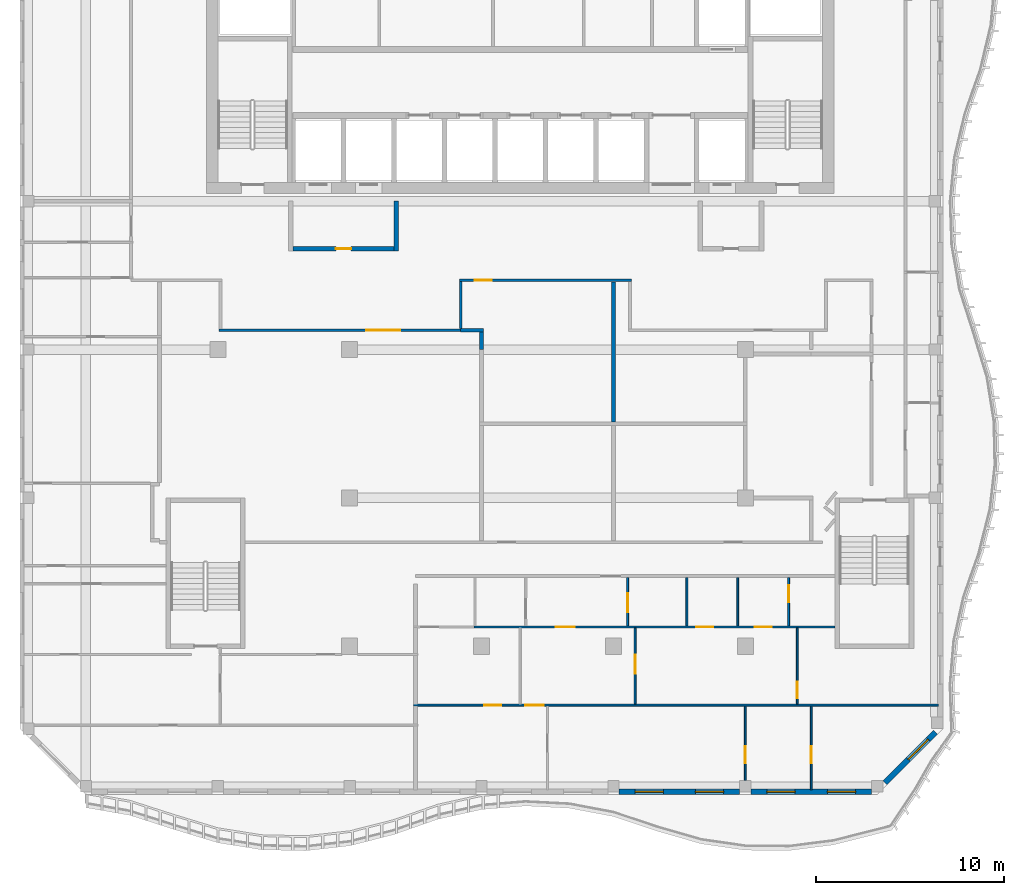
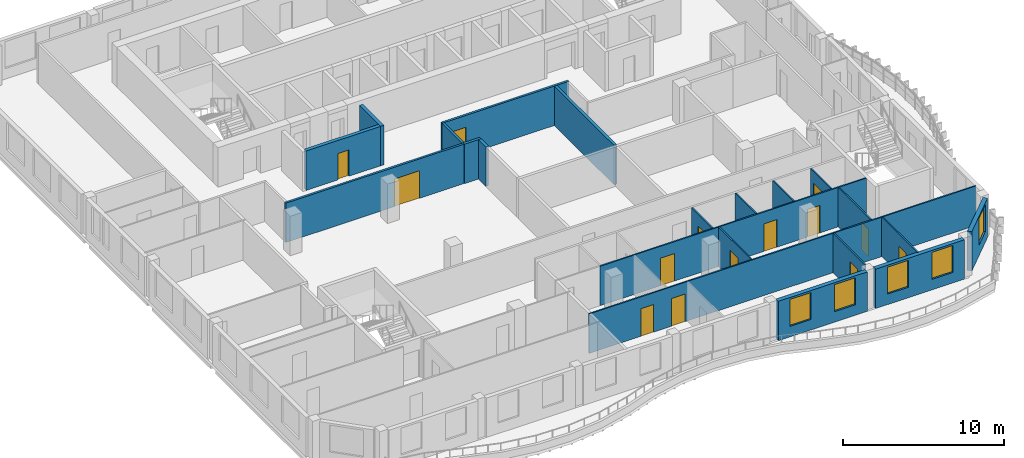
# One storey, part 4 of 14: 21 walls, 14 doors, 5 windows, 19 openings.
"""IFC4 building model written with IfcOpenShell, lengths in metres."""

from ifc_helpers import new_model, si_unit, direction, frame, frame_2d, origin, place, context, subcontext, project, spatial, rectangle, extrude, source, transform, mapped, material, layer, layer_set, type_object, element, fill, save


model = new_model("IFC4")

# Units and contexts
model_context = context("Model", 3, precision=1e-05, world=origin(), true_north=direction((0.0, 1.0)))
body_context = subcontext(model_context, "Body", "Model", "MODEL_VIEW")
ifc_project = project(units=[si_unit("LENGTHUNIT", "METRE"), si_unit("AREAUNIT", "SQUARE_METRE"), si_unit("VOLUMEUNIT", "CUBIC_METRE"), si_unit("PLANEANGLEUNIT", "RADIAN"), si_unit("MASSUNIT", "GRAM", prefix="KILO")], contexts=[model_context])

# Site, building, storey
site_placement = place(None, origin())
site = spatial("IfcSite", under=ifc_project, at=site_placement, CompositionType="ELEMENT")
building_placement = place(site_placement, origin())
building = spatial("IfcBuilding", under=site, at=building_placement, Name="Kilnfold Tower and Market Hall", CompositionType="ELEMENT")
storey_placement = place(building_placement, frame((0.0, 0.0, 315.39990234375)))
storey = spatial("IfcBuildingStorey", under=building, at=storey_placement, Name="L79", CompositionType="ELEMENT", Elevation=315.39990234375)

# Wall, opening, door
ifc_material_1 = material(Name="Gypsum board on steel studs", Category="steel")
ifc_layer_1 = layer(ifc_material_1, 0.14990234375)
ifc_layer_set_1 = layer_set([ifc_layer_1], Name="Gypsum board on steel studs")
wall_type_1 = type_object("IfcWallType", Name="WALL CORRIDOR 150", PredefinedType="PARTITIONING", material=ifc_layer_set_1)
wall_1_placement = place(storey_placement, frame((-14.93505859375, 1.14990234375, 0.0), z_axis=(0.0, 0.0, 1.0), x_axis=(1.0, 0.0, 0.0)))
wall_1 = element("IfcWall", 1, at=wall_1_placement, inside=storey, type_object=wall_type_1, Name="Partition LY47.12", PredefinedType="PARTITIONING", context=body_context, shape_type="SweptSolid", body=[
    extrude(rectangle(XDim=12.8349609375, YDim=0.14990234375, at=frame_2d((6.41748046875, 0.0))), origin(), (0.0, 0.0, 1.0), 3.0),
])
opening_1_placement = place(wall_1_placement, frame((7.824951171875, 0.0, 0.0)))
opening_1 = element("IfcOpeningElement", 2, at=opening_1_placement, cuts=wall_1, Name="Opening D5", PredefinedType="OPENING", context=body_context, shape_type="SweptSolid", body=[
    extrude(rectangle(XDim=1.800048828125, YDim=2.10009765625, at=frame_2d((0.89990234375, 1.050048828125))), frame((0.0, 0.0849609375, 0.0), z_axis=(0.0, -1.0, 0.0), x_axis=(1.0, 0.0, 0.0)), (0.0, 0.0, 1.0), 0.169921875),
])
ifc_material_2 = material(Name="Timber veneer door leaf in steel frame", Category="steel")
door_type_1 = type_object("IfcDoorType", Name="DOOR DOUBLE 1800 X2100", OperationType="NOTDEFINED", PredefinedType="DOOR", material=ifc_material_2)
door_1_placement = place(opening_1_placement, origin())
door_1 = element("IfcDoor", 3, at=door_1_placement, inside=storey, type_object=door_type_1, Name="Door D5", OperationType="DOUBLE_DOOR_SINGLE_SWING", OverallHeight=2.10009765625, OverallWidth=1.800048828125, PredefinedType="DOOR", context=body_context, shape_type="SweptSolid", body=[
    extrude(rectangle(XDim=1.800048828125, YDim=2.10009765625, at=frame_2d((0.89990234375, 1.050048828125))), frame((0.0, 0.02490234375, 0.0), z_axis=(0.0, -1.0, 0.0), x_axis=(1.0, 0.0, 0.0)), (0.0, 0.0, 1.0), 0.050048828125),
])
fill(opening_1, door_1)

wall_2_placement = place(storey_placement, frame((-2.175048828125, 3.800048828125, 0.0), z_axis=(0.0, 0.0, 1.0), x_axis=(1.0, 0.0, 0.0)))
wall_2 = element("IfcWall", 4, at=wall_2_placement, inside=storey, type_object=wall_type_1, Name="Partition LY47.15", PredefinedType="PARTITIONING", context=body_context, shape_type="SweptSolid", body=[
    extrude(rectangle(XDim=9.130126953125, YDim=0.14990234375, at=frame_2d((4.56494140625, 0.0))), origin(), (0.0, 0.0, 1.0), 3.0),
])
opening_2_placement = place(wall_2_placement, frame((0.806884765625, 0.0, 0.0)))
opening_2 = element("IfcOpeningElement", 5, at=opening_2_placement, cuts=wall_2, Name="Opening D2", PredefinedType="OPENING", context=body_context, shape_type="SweptSolid", body=[
    extrude(rectangle(XDim=0.89990234375, YDim=2.10009765625, at=frame_2d((0.449951171875, 1.050048828125))), frame((0.0, 0.0849609375, 0.0), z_axis=(0.0, -1.0, 0.0), x_axis=(1.0, 0.0, 0.0)), (0.0, 0.0, 1.0), 0.169921875),
])
ifc_material_3 = material(Name="Timber veneer door leaf in steel frame", Category="steel")
door_type_2 = type_object("IfcDoorType", Name="DOOR ROOM 900 X2100", OperationType="NOTDEFINED", PredefinedType="DOOR", material=ifc_material_3)
door_2_placement = place(opening_2_placement, origin())
door_2 = element("IfcDoor", 6, at=door_2_placement, inside=storey, type_object=door_type_2, Name="Door D2", OperationType="SINGLE_SWING_LEFT", OverallHeight=2.10009765625, OverallWidth=0.89990234375, PredefinedType="DOOR", context=body_context, shape_type="SweptSolid", body=[
    extrude(rectangle(XDim=0.89990234375, YDim=2.10009765625, at=frame_2d((0.449951171875, 1.050048828125))), frame((0.0, 0.02490234375, 0.0), z_axis=(0.0, -1.0, 0.0), x_axis=(1.0, 0.0, 0.0)), (0.0, 0.0, 1.0), 0.050048828125),
])
fill(opening_2, door_2)

# Wall
wall_3_placement = place(storey_placement, frame((-2.10009765625, 1.25, 0.0), z_axis=(0.0, 0.0, 1.0), x_axis=(0.0, 1.0, 0.0)))
element("IfcWall", 7, at=wall_3_placement, inside=storey, type_object=wall_type_1, Name="Partition LY47.16", PredefinedType="PARTITIONING", context=body_context, shape_type="SweptSolid", body=[
    extrude(rectangle(XDim=2.47509765625, YDim=0.14990234375, at=frame_2d((1.237548828125, 0.0))), origin(), (0.0, 0.0, 1.0), 3.0),
])

# Wall, openings, doors
ifc_material_4 = material(Name="Gypsum board on steel studs", Category="steel")
ifc_layer_2 = layer(ifc_material_4, 0.10009765625)
ifc_layer_set_2 = layer_set([ifc_layer_2], Name="Gypsum board on steel studs")
wall_type_2 = type_object("IfcWallType", Name="WALL PARTITION 100", PredefinedType="PARTITIONING", material=ifc_layer_set_2)
wall_4_placement = place(storey_placement, frame((-1.409912109375, -14.60205078125, 0.0), z_axis=(0.0, 0.0, 1.0), x_axis=(1.0, 0.0, 0.0)))
wall_4 = element("IfcWall", 8, at=wall_4_placement, inside=storey, type_object=wall_type_2, Name="Partition LY47.52", PredefinedType="PARTITIONING", context=body_context, shape_type="SweptSolid", body=[
    extrude(rectangle(XDim=19.159912109375, YDim=0.10009765625, at=frame_2d((9.580078125, 0.0))), origin(), (0.0, 0.0, 1.0), 3.0),
])
opening_3_placement = place(wall_4_placement, frame((4.35693359375, 0.0, 0.0)))
opening_3 = element("IfcOpeningElement", 9, at=opening_3_placement, cuts=wall_4, Name="Opening D1", PredefinedType="OPENING", context=body_context, shape_type="SweptSolid", body=[
    extrude(rectangle(XDim=1.0, YDim=2.10009765625, at=frame_2d((0.5, 1.050048828125))), frame((0.0, 0.06005859375, 0.0), z_axis=(0.0, -1.0, 0.0), x_axis=(1.0, 0.0, 0.0)), (0.0, 0.0, 1.0), 0.1201171875),
])
opening_4_placement = place(wall_4_placement, frame((11.803955078125, 0.0, 0.0)))
opening_4 = element("IfcOpeningElement", 10, at=opening_4_placement, cuts=wall_4, Name="Opening D2", PredefinedType="OPENING", context=body_context, shape_type="SweptSolid", body=[
    extrude(rectangle(XDim=0.89990234375, YDim=2.10009765625, at=frame_2d((0.449951171875, 1.050048828125))), frame((0.0, 0.06005859375, 0.0), z_axis=(0.0, -1.0, 0.0), x_axis=(1.0, 0.0, 0.0)), (0.0, 0.0, 1.0), 0.1201171875),
])
opening_5_placement = place(wall_4_placement, frame((14.909912109375, 0.0, 0.0)))
opening_5 = element("IfcOpeningElement", 11, at=opening_5_placement, cuts=wall_4, Name="Opening D2", PredefinedType="OPENING", context=body_context, shape_type="SweptSolid", body=[
    extrude(rectangle(XDim=0.89990234375, YDim=2.10009765625, at=frame_2d((0.449951171875, 1.050048828125))), frame((0.0, 0.06005859375, 0.0), z_axis=(0.0, -1.0, 0.0), x_axis=(1.0, 0.0, 0.0)), (0.0, 0.0, 1.0), 0.1201171875),
])
ifc_material_5 = material(Name="Timber veneer door leaf in steel frame", Category="steel")
door_type_3 = type_object("IfcDoorType", Name="DOOR ENTRY 1000 X2100", OperationType="NOTDEFINED", PredefinedType="DOOR", material=ifc_material_5)
door_3_placement = place(opening_3_placement, origin())
door_3 = element("IfcDoor", 12, at=door_3_placement, inside=storey, type_object=door_type_3, Name="Door D1", OperationType="SINGLE_SWING_RIGHT", OverallHeight=2.10009765625, OverallWidth=1.0, PredefinedType="DOOR", context=body_context, shape_type="SweptSolid", body=[
    extrude(rectangle(XDim=1.0, YDim=2.10009765625, at=frame_2d((0.5, 1.050048828125))), frame((0.0, 0.02490234375, 0.0), z_axis=(0.0, -1.0, 0.0), x_axis=(1.0, 0.0, 0.0)), (0.0, 0.0, 1.0), 0.050048828125),
])
fill(opening_3, door_3)
door_4_placement = place(opening_4_placement, origin())
door_4 = element("IfcDoor", 13, at=door_4_placement, inside=storey, type_object=door_type_2, Name="Door D2", OperationType="SINGLE_SWING_RIGHT", OverallHeight=2.10009765625, OverallWidth=0.89990234375, PredefinedType="DOOR", context=body_context, shape_type="SweptSolid", body=[
    extrude(rectangle(XDim=0.89990234375, YDim=2.10009765625, at=frame_2d((0.449951171875, 1.050048828125))), frame((0.0, 0.02490234375, 0.0), z_axis=(0.0, -1.0, 0.0), x_axis=(1.0, 0.0, 0.0)), (0.0, 0.0, 1.0), 0.050048828125),
])
fill(opening_4, door_4)
door_5_placement = place(opening_5_placement, origin())
door_5 = element("IfcDoor", 14, at=door_5_placement, inside=storey, type_object=door_type_2, Name="Door D2", OperationType="SINGLE_SWING_RIGHT", OverallHeight=2.10009765625, OverallWidth=0.89990234375, PredefinedType="DOOR", context=body_context, shape_type="SweptSolid", body=[
    extrude(rectangle(XDim=0.89990234375, YDim=2.10009765625, at=frame_2d((0.449951171875, 1.050048828125))), frame((0.0, 0.02490234375, 0.0), z_axis=(0.0, -1.0, 0.0), x_axis=(1.0, 0.0, 0.0)), (0.0, 0.0, 1.0), 0.050048828125),
])
fill(opening_5, door_5)

wall_5_placement = place(storey_placement, frame((-4.60009765625, -18.75, 0.0), z_axis=(0.0, 0.0, 1.0), x_axis=(1.0, 0.0, 0.0)))
wall_5 = element("IfcWall", 15, at=wall_5_placement, inside=storey, type_object=wall_type_2, Name="Partition LY47.53", PredefinedType="PARTITIONING", context=body_context, shape_type="SweptSolid", body=[
    extrude(rectangle(XDim=27.85009765625, YDim=0.10009765625, at=frame_2d((13.925048828125, 0.0))), origin(), (0.0, 0.0, 1.0), 3.0),
])
opening_6_placement = place(wall_5_placement, frame((3.740966796875, 0.0, 0.0)))
opening_6 = element("IfcOpeningElement", 16, at=opening_6_placement, cuts=wall_5, Name="Opening D2", PredefinedType="OPENING", context=body_context, shape_type="SweptSolid", body=[
    extrude(rectangle(XDim=0.89990234375, YDim=2.10009765625, at=frame_2d((0.449951171875, 1.050048828125))), frame((0.0, 0.06005859375, 0.0), z_axis=(0.0, -1.0, 0.0), x_axis=(1.0, 0.0, 0.0)), (0.0, 0.0, 1.0), 0.1201171875),
])
opening_7_placement = place(wall_5_placement, frame((5.909912109375, 0.0, 0.0)))
opening_7 = element("IfcOpeningElement", 17, at=opening_7_placement, cuts=wall_5, Name="Opening D1", PredefinedType="OPENING", context=body_context, shape_type="SweptSolid", body=[
    extrude(rectangle(XDim=1.0, YDim=2.10009765625, at=frame_2d((0.5, 1.050048828125))), frame((0.0, 0.06005859375, 0.0), z_axis=(0.0, -1.0, 0.0), x_axis=(1.0, 0.0, 0.0)), (0.0, 0.0, 1.0), 0.1201171875),
])
door_6_placement = place(opening_7_placement, origin())
door_6 = element("IfcDoor", 18, at=door_6_placement, inside=storey, type_object=door_type_3, Name="Door D1", OperationType="SINGLE_SWING_RIGHT", OverallHeight=2.10009765625, OverallWidth=1.0, PredefinedType="DOOR", context=body_context, shape_type="SweptSolid", body=[
    extrude(rectangle(XDim=1.0, YDim=2.10009765625, at=frame_2d((0.5, 1.050048828125))), frame((0.0, 0.02490234375, 0.0), z_axis=(0.0, -1.0, 0.0), x_axis=(1.0, 0.0, 0.0)), (0.0, 0.0, 1.0), 0.050048828125),
])
fill(opening_7, door_6)
door_7_placement = place(opening_6_placement, origin())
door_7 = element("IfcDoor", 19, at=door_7_placement, inside=storey, type_object=door_type_2, Name="Door D2", OperationType="SINGLE_SWING_LEFT", OverallHeight=2.10009765625, OverallWidth=0.89990234375, PredefinedType="DOOR", context=body_context, shape_type="SweptSolid", body=[
    extrude(rectangle(XDim=0.89990234375, YDim=2.10009765625, at=frame_2d((0.449951171875, 1.050048828125))), frame((0.0, 0.02490234375, 0.0), z_axis=(0.0, -1.0, 0.0), x_axis=(1.0, 0.0, 0.0)), (0.0, 0.0, 1.0), 0.050048828125),
])
fill(opening_6, door_7)

# Wall, opening, door
wall_6_placement = place(storey_placement, frame((7.155029296875, -18.699951171875, 0.0), z_axis=(0.0, 0.0, 1.0), x_axis=(0.0, 1.0, 0.0)))
wall_6 = element("IfcWall", 20, at=wall_6_placement, inside=storey, type_object=wall_type_2, Name="Partition LY47.54", PredefinedType="PARTITIONING", context=body_context, shape_type="SweptSolid", body=[
    extrude(rectangle(XDim=4.0478515625, YDim=0.10009765625, at=frame_2d((2.02392578125, 0.0))), origin(), (0.0, 0.0, 1.0), 3.0),
])
opening_8_placement = place(wall_6_placement, frame((1.6259765625, 0.0, 0.0)))
opening_8 = element("IfcOpeningElement", 21, at=opening_8_placement, cuts=wall_6, Name="Opening D1", PredefinedType="OPENING", context=body_context, shape_type="SweptSolid", body=[
    extrude(rectangle(XDim=1.0, YDim=2.10009765625, at=frame_2d((0.5, 1.050048828125))), frame((0.0, 0.06005859375, 0.0), z_axis=(0.0, -1.0, 0.0), x_axis=(1.0, 0.0, 0.0)), (0.0, 0.0, 1.0), 0.1201171875),
])
door_8_placement = place(opening_8_placement, origin())
door_8 = element("IfcDoor", 22, at=door_8_placement, inside=storey, type_object=door_type_3, Name="Door D1", OperationType="SINGLE_SWING_LEFT", OverallHeight=2.10009765625, OverallWidth=1.0, PredefinedType="DOOR", context=body_context, shape_type="SweptSolid", body=[
    extrude(rectangle(XDim=1.0, YDim=2.10009765625, at=frame_2d((0.5, 1.050048828125))), frame((0.0, 0.02490234375, 0.0), z_axis=(0.0, -1.0, 0.0), x_axis=(1.0, 0.0, 0.0)), (0.0, 0.0, 1.0), 0.050048828125),
])
fill(opening_8, door_8)

wall_7_placement = place(storey_placement, frame((15.758056640625, -18.699951171875, 0.0), z_axis=(0.0, 0.0, 1.0), x_axis=(0.0, 1.0, 0.0)))
wall_7 = element("IfcWall", 23, at=wall_7_placement, inside=storey, type_object=wall_type_2, Name="Partition LY47.55", PredefinedType="PARTITIONING", context=body_context, shape_type="SweptSolid", body=[
    extrude(rectangle(XDim=4.0478515625, YDim=0.10009765625, at=frame_2d((2.02392578125, 0.0))), origin(), (0.0, 0.0, 1.0), 3.0),
])
opening_9_placement = place(wall_7_placement, frame((0.302001953125, 0.0, 0.0)))
opening_9 = element("IfcOpeningElement", 24, at=opening_9_placement, cuts=wall_7, Name="Opening D2", PredefinedType="OPENING", context=body_context, shape_type="SweptSolid", body=[
    extrude(rectangle(XDim=0.89990234375, YDim=2.10009765625, at=frame_2d((0.449951171875, 1.050048828125))), frame((0.0, 0.06005859375, 0.0), z_axis=(0.0, -1.0, 0.0), x_axis=(1.0, 0.0, 0.0)), (0.0, 0.0, 1.0), 0.1201171875),
])
door_9_placement = place(opening_9_placement, origin())
door_9 = element("IfcDoor", 25, at=door_9_placement, inside=storey, type_object=door_type_2, Name="Door D2", OperationType="SINGLE_SWING_RIGHT", OverallHeight=2.10009765625, OverallWidth=0.89990234375, PredefinedType="DOOR", context=body_context, shape_type="SweptSolid", body=[
    extrude(rectangle(XDim=0.89990234375, YDim=2.10009765625, at=frame_2d((0.449951171875, 1.050048828125))), frame((0.0, 0.02490234375, 0.0), z_axis=(0.0, -1.0, 0.0), x_axis=(1.0, 0.0, 0.0)), (0.0, 0.0, 1.0), 0.050048828125),
])
fill(opening_9, door_9)

wall_8_placement = place(storey_placement, frame((6.75, -14.550048828125, 0.0), z_axis=(0.0, 0.0, 1.0), x_axis=(0.0, 1.0, 0.0)))
wall_8 = element("IfcWall", 26, at=wall_8_placement, inside=storey, type_object=wall_type_2, Name="Partition LY47.59", PredefinedType="PARTITIONING", context=body_context, shape_type="SweptSolid", body=[
    extrude(rectangle(XDim=2.572998046875, YDim=0.10009765625, at=frame_2d((1.28662109375, 0.0))), origin(), (0.0, 0.0, 1.0), 3.0),
])
opening_10_placement = place(wall_8_placement, frame((0.73291015625, 0.0, 0.0)))
opening_10 = element("IfcOpeningElement", 27, at=opening_10_placement, cuts=wall_8, Name="Opening D1", PredefinedType="OPENING", context=body_context, shape_type="SweptSolid", body=[
    extrude(rectangle(XDim=1.0, YDim=2.10009765625, at=frame_2d((0.5, 1.050048828125))), frame((0.0, 0.06005859375, 0.0), z_axis=(0.0, -1.0, 0.0), x_axis=(1.0, 0.0, 0.0)), (0.0, 0.0, 1.0), 0.1201171875),
])
door_10_placement = place(opening_10_placement, origin())
door_10 = element("IfcDoor", 28, at=door_10_placement, inside=storey, type_object=door_type_3, Name="Door D1", OperationType="SINGLE_SWING_RIGHT", OverallHeight=2.10009765625, OverallWidth=1.0, PredefinedType="DOOR", context=body_context, shape_type="SweptSolid", body=[
    extrude(rectangle(XDim=1.0, YDim=2.10009765625, at=frame_2d((0.5, 1.050048828125))), frame((0.0, 0.02490234375, 0.0), z_axis=(0.0, -1.0, 0.0), x_axis=(1.0, 0.0, 0.0)), (0.0, 0.0, 1.0), 0.050048828125),
])
fill(opening_10, door_10)

# Walls
for number, where, z_axis, x_axis, name in (
    (29, (9.89990234375, -14.550048828125, 0.0), (0.0, 0.0, 1.0), (0.0, 1.0, 0.0), "Partition LY47.60"),
    (30, (12.60009765625, -14.550048828125, 0.0), (0.0, 0.0, 1.0), (0.0, 1.0, 0.0), "Partition LY47.61"),
):
    element("IfcWall", number, at=place(storey_placement, frame(where, z_axis=z_axis, x_axis=x_axis)), inside=storey, type_object=wall_type_2, Name=name, PredefinedType="PARTITIONING", context=body_context, shape_type="SweptSolid", body=[
        extrude(rectangle(XDim=2.572998046875, YDim=0.10009765625, at=frame_2d((1.28662109375, 0.0))), origin(), (0.0, 0.0, 1.0), 3.0),
    ])

# Wall, opening, door
wall_9_placement = place(storey_placement, frame((15.300048828125, -14.550048828125, 0.0), z_axis=(0.0, 0.0, 1.0), x_axis=(0.0, 1.0, 0.0)))
wall_9 = element("IfcWall", 31, at=wall_9_placement, inside=storey, type_object=wall_type_2, Name="Partition LY47.62", PredefinedType="PARTITIONING", context=body_context, shape_type="SweptSolid", body=[
    extrude(rectangle(XDim=2.572998046875, YDim=0.10009765625, at=frame_2d((1.28662109375, 0.0))), origin(), (0.0, 0.0, 1.0), 3.0),
])
opening_11_placement = place(wall_9_placement, frame((1.260986328125, 0.0, 0.0)))
opening_11 = element("IfcOpeningElement", 32, at=opening_11_placement, cuts=wall_9, Name="Opening D2", PredefinedType="OPENING", context=body_context, shape_type="SweptSolid", body=[
    extrude(rectangle(XDim=0.89990234375, YDim=2.10009765625, at=frame_2d((0.449951171875, 1.050048828125))), frame((0.0, 0.06005859375, 0.0), z_axis=(0.0, -1.0, 0.0), x_axis=(1.0, 0.0, 0.0)), (0.0, 0.0, 1.0), 0.1201171875),
])
door_11_placement = place(opening_11_placement, origin())
door_11 = element("IfcDoor", 33, at=door_11_placement, inside=storey, type_object=door_type_2, Name="Door D2", OperationType="SINGLE_SWING_LEFT", OverallHeight=2.10009765625, OverallWidth=0.89990234375, PredefinedType="DOOR", context=body_context, shape_type="SweptSolid", body=[
    extrude(rectangle(XDim=0.89990234375, YDim=2.10009765625, at=frame_2d((0.449951171875, 1.050048828125))), frame((0.0, 0.02490234375, 0.0), z_axis=(0.0, -1.0, 0.0), x_axis=(1.0, 0.0, 0.0)), (0.0, 0.0, 1.0), 0.050048828125),
])
fill(opening_11, door_11)

wall_10_placement = place(storey_placement, frame((13.0, -22.75, 0.0), z_axis=(0.0, 0.0, 1.0), x_axis=(0.0, 1.0, 0.0)))
wall_10 = element("IfcWall", 34, at=wall_10_placement, inside=storey, type_object=wall_type_2, Name="Partition LY47.64", PredefinedType="PARTITIONING", context=body_context, shape_type="SweptSolid", body=[
    extrude(rectangle(XDim=3.947998046875, YDim=0.10009765625, at=frame_2d((1.97412109375, 0.0))), origin(), (0.0, 0.0, 1.0), 3.0),
])
opening_12_placement = place(wall_10_placement, frame((0.9130859375, 0.0, 0.0)))
opening_12 = element("IfcOpeningElement", 35, at=opening_12_placement, cuts=wall_10, Name="Opening D2", PredefinedType="OPENING", context=body_context, shape_type="SweptSolid", body=[
    extrude(rectangle(XDim=0.89990234375, YDim=2.10009765625, at=frame_2d((0.449951171875, 1.050048828125))), frame((0.0, 0.06005859375, 0.0), z_axis=(0.0, -1.0, 0.0), x_axis=(1.0, 0.0, 0.0)), (0.0, 0.0, 1.0), 0.1201171875),
])
door_12_placement = place(opening_12_placement, origin())
door_12 = element("IfcDoor", 36, at=door_12_placement, inside=storey, type_object=door_type_2, Name="Door D2", OperationType="SINGLE_SWING_RIGHT", OverallHeight=2.10009765625, OverallWidth=0.89990234375, PredefinedType="DOOR", context=body_context, shape_type="SweptSolid", body=[
    extrude(rectangle(XDim=0.89990234375, YDim=2.10009765625, at=frame_2d((0.449951171875, 1.050048828125))), frame((0.0, 0.02490234375, 0.0), z_axis=(0.0, -1.0, 0.0), x_axis=(1.0, 0.0, 0.0)), (0.0, 0.0, 1.0), 0.050048828125),
])
fill(opening_12, door_12)

wall_11_placement = place(storey_placement, frame((16.5, -23.25, 0.0), z_axis=(0.0, 0.0, 1.0), x_axis=(0.0, 1.0, 0.0)))
wall_11 = element("IfcWall", 37, at=wall_11_placement, inside=storey, type_object=wall_type_2, Name="Partition LY47.65", PredefinedType="PARTITIONING", context=body_context, shape_type="SweptSolid", body=[
    extrude(rectangle(XDim=4.447998046875, YDim=0.10009765625, at=frame_2d((2.22412109375, 0.0))), origin(), (0.0, 0.0, 1.0), 3.0),
])
opening_13_placement = place(wall_11_placement, frame((1.4189453125, 0.0, 0.0)))
opening_13 = element("IfcOpeningElement", 38, at=opening_13_placement, cuts=wall_11, Name="Opening D2", PredefinedType="OPENING", context=body_context, shape_type="SweptSolid", body=[
    extrude(rectangle(XDim=0.89990234375, YDim=2.10009765625, at=frame_2d((0.449951171875, 1.050048828125))), frame((0.0, 0.06005859375, 0.0), z_axis=(0.0, -1.0, 0.0), x_axis=(1.0, 0.0, 0.0)), (0.0, 0.0, 1.0), 0.1201171875),
])
door_13_placement = place(opening_13_placement, origin())
door_13 = element("IfcDoor", 39, at=door_13_placement, inside=storey, type_object=door_type_2, Name="Door D2", OperationType="SINGLE_SWING_LEFT", OverallHeight=2.10009765625, OverallWidth=0.89990234375, PredefinedType="DOOR", context=body_context, shape_type="SweptSolid", body=[
    extrude(rectangle(XDim=0.89990234375, YDim=2.10009765625, at=frame_2d((0.449951171875, 1.050048828125))), frame((0.0, 0.02490234375, 0.0), z_axis=(0.0, -1.0, 0.0), x_axis=(1.0, 0.0, 0.0)), (0.0, 0.0, 1.0), 0.050048828125),
])
fill(opening_13, door_13)

# Walls
ifc_material_6 = material(Name="Gypsum board on steel studs", Category="steel")
ifc_layer_3 = layer(ifc_material_6, 0.199951171875)
ifc_layer_set_3 = layer_set([ifc_layer_3], Name="Gypsum board on steel studs")
wall_type_3 = type_object("IfcWallType", Name="WALL PARTY 200", PredefinedType="PARTITIONING", material=ifc_layer_set_3)
wall_12_placement = place(storey_placement, frame((-0.89794921875, 1.152099609375, 0.0), z_axis=(0.0, 0.0, 1.0), x_axis=(-1.0, 0.0, 0.0)))
element("IfcWall", 40, at=wall_12_placement, inside=storey, type_object=wall_type_3, Name="Partition LY47.70", PredefinedType="PARTITIONING", context=body_context, shape_type="SweptSolid", body=[
    extrude(rectangle(XDim=1.2099609375, YDim=0.199951171875, at=frame_2d((0.60498046875, 0.0))), origin(), (0.0, 0.0, 1.0), 3.0),
])
wall_13_placement = place(storey_placement, frame((-0.998046875, 0.123046875, 0.0), z_axis=(0.0, 0.0, 1.0), x_axis=(0.0, 1.0, 0.0)))
element("IfcWall", 41, at=wall_13_placement, inside=storey, type_object=wall_type_3, Name="Partition LY47.71", PredefinedType="PARTITIONING", context=body_context, shape_type="SweptSolid", body=[
    extrude(rectangle(XDim=0.928955078125, YDim=0.199951171875, at=frame_2d((0.46435546875, 0.0))), origin(), (0.0, 0.0, 1.0), 3.0),
])
wall_14_placement = place(storey_placement, frame((6.0, -3.7119140625, 0.0), z_axis=(0.0, 0.0, 1.0), x_axis=(0.0, 1.0, 0.0)))
element("IfcWall", 42, at=wall_14_placement, inside=storey, type_object=wall_type_3, Name="Partition LY47.75", PredefinedType="PARTITIONING", context=body_context, shape_type="SweptSolid", body=[
    extrude(rectangle(XDim=7.434814453125, YDim=0.199951171875, at=frame_2d((3.71728515625, 0.0))), origin(), (0.0, 0.0, 1.0), 3.0),
])

# Wall, openings, windows
ifc_material_7 = material(Name="Precast concrete C50/60", Category="concrete")
ifc_layer_4 = layer(ifc_material_7, 0.300048828125)
ifc_layer_set_4 = layer_set([ifc_layer_4], Name="Precast concrete C50/60")
wall_type_4 = type_object("IfcWallType", Name="PRECAST WALL 300", PredefinedType="SOLIDWALL", material=ifc_layer_set_4)
shared_shape_1 = source(origin(), body_context, "Body", "SweptSolid", [
    extrude(rectangle(XDim=6.39990234375, YDim=0.300048828125, at=frame_2d((3.199951171875, 0.0))), origin(), (0.0, 0.0, 1.0), 3.0),
])
wall_15_placement = place(storey_placement, frame((6.300048828125, -23.35009765625, 0.0), z_axis=(0.0, 0.0, 1.0), x_axis=(1.0, 0.0, 0.0)))
wall_15 = element("IfcWall", 43, at=wall_15_placement, inside=storey, type_object=wall_type_4, Name="External wall L79 S", PredefinedType="SOLIDWALL", context=body_context, shape_type="MappedRepresentation", body=[
    mapped(shared_shape_1, transform((0.0, 0.0, 0.0))),
])
opening_14_placement = place(wall_15_placement, frame((0.85009765625, 0.0, 0.800048828125)))
opening_14 = element("IfcOpeningElement", 44, at=opening_14_placement, cuts=wall_15, Name="Opening W5", PredefinedType="OPENING", context=body_context, shape_type="SweptSolid", body=[
    extrude(rectangle(XDim=1.5, YDim=2.050048828125, at=frame_2d((0.75, 1.02490234375))), frame((0.0, 0.16015625, 0.0), z_axis=(0.0, -1.0, 0.0), x_axis=(1.0, 0.0, 0.0)), (0.0, 0.0, 1.0), 0.320068359375),
])
opening_15_placement = place(wall_15_placement, frame((4.050048828125, 0.0, 0.800048828125)))
opening_15 = element("IfcOpeningElement", 45, at=opening_15_placement, cuts=wall_15, Name="Opening W5", PredefinedType="OPENING", context=body_context, shape_type="SweptSolid", body=[
    extrude(rectangle(XDim=1.5, YDim=2.050048828125, at=frame_2d((0.75, 1.02490234375))), frame((0.0, 0.16015625, 0.0), z_axis=(0.0, -1.0, 0.0), x_axis=(1.0, 0.0, 0.0)), (0.0, 0.0, 1.0), 0.320068359375),
])
ifc_material_8 = material(Name="Aluminium frame and double glazing", Category="aluminium")
window_type = type_object("IfcWindowType", Name="WINDOW W5 1500X2050", PartitioningType="SINGLE_PANEL", PredefinedType="WINDOW", material=ifc_material_8)
window_1_placement = place(opening_14_placement, origin())
window_1 = element("IfcWindow", 46, at=window_1_placement, inside=storey, type_object=window_type, Name="Window W5 L79 S-1", OverallHeight=2.050048828125, OverallWidth=1.5, PartitioningType="SINGLE_PANEL", PredefinedType="WINDOW", context=body_context, shape_type="SweptSolid", body=[
    extrude(rectangle(XDim=1.5, YDim=2.050048828125, at=frame_2d((0.75, 1.02490234375))), frame((0.0, 0.030029296875, 0.0), z_axis=(0.0, -1.0, 0.0), x_axis=(1.0, 0.0, 0.0)), (0.0, 0.0, 1.0), 0.06005859375),
])
fill(opening_14, window_1)
window_2_placement = place(opening_15_placement, origin())
window_2 = element("IfcWindow", 47, at=window_2_placement, inside=storey, type_object=window_type, Name="Window W5 L79 S-2", OverallHeight=2.050048828125, OverallWidth=1.5, PartitioningType="SINGLE_PANEL", PredefinedType="WINDOW", context=body_context, shape_type="SweptSolid", body=[
    extrude(rectangle(XDim=1.5, YDim=2.050048828125, at=frame_2d((0.75, 1.02490234375))), frame((0.0, 0.030029296875, 0.0), z_axis=(0.0, -1.0, 0.0), x_axis=(1.0, 0.0, 0.0)), (0.0, 0.0, 1.0), 0.06005859375),
])
fill(opening_15, window_2)

wall_16_placement = place(storey_placement, frame((13.300048828125, -23.35009765625, 0.0), z_axis=(0.0, 0.0, 1.0), x_axis=(1.0, 0.0, 0.0)))
wall_16 = element("IfcWall", 48, at=wall_16_placement, inside=storey, type_object=wall_type_4, Name="External wall L79 S", PredefinedType="SOLIDWALL", context=body_context, shape_type="MappedRepresentation", body=[
    mapped(shared_shape_1, transform((0.0, 0.0, 0.0))),
])
opening_16_placement = place(wall_16_placement, frame((0.85009765625, 0.0, 0.800048828125)))
opening_16 = element("IfcOpeningElement", 49, at=opening_16_placement, cuts=wall_16, Name="Opening W5", PredefinedType="OPENING", context=body_context, shape_type="SweptSolid", body=[
    extrude(rectangle(XDim=1.5, YDim=2.050048828125, at=frame_2d((0.75, 1.02490234375))), frame((0.0, 0.16015625, 0.0), z_axis=(0.0, -1.0, 0.0), x_axis=(1.0, 0.0, 0.0)), (0.0, 0.0, 1.0), 0.320068359375),
])
opening_17_placement = place(wall_16_placement, frame((4.050048828125, 0.0, 0.800048828125)))
opening_17 = element("IfcOpeningElement", 50, at=opening_17_placement, cuts=wall_16, Name="Opening W5", PredefinedType="OPENING", context=body_context, shape_type="SweptSolid", body=[
    extrude(rectangle(XDim=1.5, YDim=2.050048828125, at=frame_2d((0.75, 1.02490234375))), frame((0.0, 0.16015625, 0.0), z_axis=(0.0, -1.0, 0.0), x_axis=(1.0, 0.0, 0.0)), (0.0, 0.0, 1.0), 0.320068359375),
])
window_3_placement = place(opening_16_placement, origin())
window_3 = element("IfcWindow", 51, at=window_3_placement, inside=storey, type_object=window_type, Name="Window W5 L79 S-1", OverallHeight=2.050048828125, OverallWidth=1.5, PartitioningType="SINGLE_PANEL", PredefinedType="WINDOW", context=body_context, shape_type="SweptSolid", body=[
    extrude(rectangle(XDim=1.5, YDim=2.050048828125, at=frame_2d((0.75, 1.02490234375))), frame((0.0, 0.030029296875, 0.0), z_axis=(0.0, -1.0, 0.0), x_axis=(1.0, 0.0, 0.0)), (0.0, 0.0, 1.0), 0.06005859375),
])
fill(opening_16, window_3)
window_4_placement = place(opening_17_placement, origin())
window_4 = element("IfcWindow", 52, at=window_4_placement, inside=storey, type_object=window_type, Name="Window W5 L79 S-2", OverallHeight=2.050048828125, OverallWidth=1.5, PartitioningType="SINGLE_PANEL", PredefinedType="WINDOW", context=body_context, shape_type="SweptSolid", body=[
    extrude(rectangle(XDim=1.5, YDim=2.050048828125, at=frame_2d((0.75, 1.02490234375))), frame((0.0, 0.030029296875, 0.0), z_axis=(0.0, -1.0, 0.0), x_axis=(1.0, 0.0, 0.0)), (0.0, 0.0, 1.0), 0.06005859375),
])
fill(opening_17, window_4)

# Wall, opening, window
shared_shape_2 = source(origin(), body_context, "Body", "SweptSolid", [
    extrude(rectangle(XDim=3.783203125, YDim=0.300048828125, at=frame_2d((1.8916015625, 0.0))), origin(), (0.0, 0.0, 1.0), 3.0),
])
wall_17_placement = place(storey_placement, frame((20.4189453125, -22.868896484375, 0.0), z_axis=(0.0, 0.0, 1.0), x_axis=(0.707106781187, 0.707106781187, 0.0)))
wall_17 = element("IfcWall", 53, at=wall_17_placement, inside=storey, type_object=wall_type_4, Name="External wall L79 SE", PredefinedType="SOLIDWALL", context=body_context, shape_type="MappedRepresentation", body=[
    mapped(shared_shape_2, transform((0.0, 0.0, 0.0))),
])
opening_18_placement = place(wall_17_placement, frame((1.75, 0.0, 0.800048828125)))
opening_18 = element("IfcOpeningElement", 54, at=opening_18_placement, cuts=wall_17, Name="Opening W5", PredefinedType="OPENING", context=body_context, shape_type="SweptSolid", body=[
    extrude(rectangle(XDim=1.5, YDim=2.050048828125, at=frame_2d((0.75, 1.02490234375))), frame((0.0, 0.16015625, 0.0), z_axis=(0.0, -1.0, 0.0), x_axis=(1.0, 0.0, 0.0)), (0.0, 0.0, 1.0), 0.320068359375),
])
window_5_placement = place(opening_18_placement, origin())
window_5 = element("IfcWindow", 55, at=window_5_placement, inside=storey, type_object=window_type, Name="Window W5 L79 SE-1", OverallHeight=2.050048828125, OverallWidth=1.5, PartitioningType="SINGLE_PANEL", PredefinedType="WINDOW", context=body_context, shape_type="SweptSolid", body=[
    extrude(rectangle(XDim=1.5, YDim=2.050048828125, at=frame_2d((0.75, 1.02490234375))), frame((0.0, 0.030029296875, 0.0), z_axis=(0.0, -1.0, 0.0), x_axis=(1.0, 0.0, 0.0)), (0.0, 0.0, 1.0), 0.06005859375),
])
fill(opening_18, window_5)

# Wall
ifc_material_9 = material(Name="Gypsum shaft wall system")
ifc_layer_5 = layer(ifc_material_9, 0.25)
ifc_layer_set_5 = layer_set([ifc_layer_5], Name="Gypsum shaft wall system")
wall_type_5 = type_object("IfcWallType", Name="LOBBY WALL 250", PredefinedType="PARTITIONING", material=ifc_layer_set_5)
shared_shape_3 = source(origin(), body_context, "Body", "SweptSolid", [
    extrude(rectangle(XDim=2.64990234375, YDim=0.25, at=frame_2d((1.324951171875, 0.0))), origin(), (0.0, 0.0, 1.0), 3.0),
])
wall_18_placement = place(storey_placement, frame((-5.52490234375, 5.35009765625, 0.0), z_axis=(0.0, 0.0, 1.0), x_axis=(0.0, 1.0, 0.0)))
element("IfcWall", 56, at=wall_18_placement, inside=storey, type_object=wall_type_5, Name="Firefighting lobby wall", PredefinedType="PARTITIONING", context=body_context, shape_type="MappedRepresentation", body=[
    mapped(shared_shape_3, transform((0.0, 0.0, 0.0))),
])

# Wall, opening, door
shared_shape_4 = source(origin(), body_context, "Body", "SweptSolid", [
    extrude(rectangle(XDim=5.360107421875, YDim=0.25, at=frame_2d((2.68017578125, 0.0))), origin(), (0.0, 0.0, 1.0), 3.0),
])
wall_19_placement = place(storey_placement, frame((-11.010009765625, 5.47509765625, 0.0), z_axis=(0.0, 0.0, 1.0), x_axis=(1.0, 0.0, 0.0)))
wall_19 = element("IfcWall", 57, at=wall_19_placement, inside=storey, type_object=wall_type_5, Name="Firefighting lobby wall", PredefinedType="PARTITIONING", context=body_context, shape_type="MappedRepresentation", body=[
    mapped(shared_shape_4, transform((0.0, 0.0, 0.0))),
])
opening_19_placement = place(wall_19_placement, frame((2.280029296875, 0.0, 0.0)))
opening_19 = element("IfcOpeningElement", 58, at=opening_19_placement, cuts=wall_19, Name="Opening VD1", PredefinedType="OPENING", context=body_context, shape_type="SweptSolid", body=[
    extrude(rectangle(XDim=0.800048828125, YDim=2.0, at=frame_2d((0.39990234375, 1.0))), frame((0.0, 0.135009765625, 0.0), z_axis=(0.0, -1.0, 0.0), x_axis=(1.0, 0.0, 0.0)), (0.0, 0.0, 1.0), 0.27001953125),
])
ifc_material_10 = material(Name="Steel door set with fire-resisting leaf", Category="steel")
door_type_4 = type_object("IfcDoorType", Name="FIREFIGHTING LOBBY DOOR 800X2000", OperationType="NOTDEFINED", PredefinedType="DOOR", material=ifc_material_10)
door_14_placement = place(opening_19_placement, origin())
door_14 = element("IfcDoor", 59, at=door_14_placement, inside=storey, type_object=door_type_4, Name="Firefighting lobby door", OperationType="SINGLE_SWING_LEFT", OverallHeight=2.0, OverallWidth=0.800048828125, PredefinedType="DOOR", context=body_context, shape_type="SweptSolid", body=[
    extrude(rectangle(XDim=0.800048828125, YDim=2.0, at=frame_2d((0.39990234375, 1.0))), frame((0.0, 0.02490234375, 0.0), z_axis=(0.0, -1.0, 0.0), x_axis=(1.0, 0.0, 0.0)), (0.0, 0.0, 1.0), 0.050048828125),
])
fill(opening_19, door_14)

save(model, "model.ifc")
